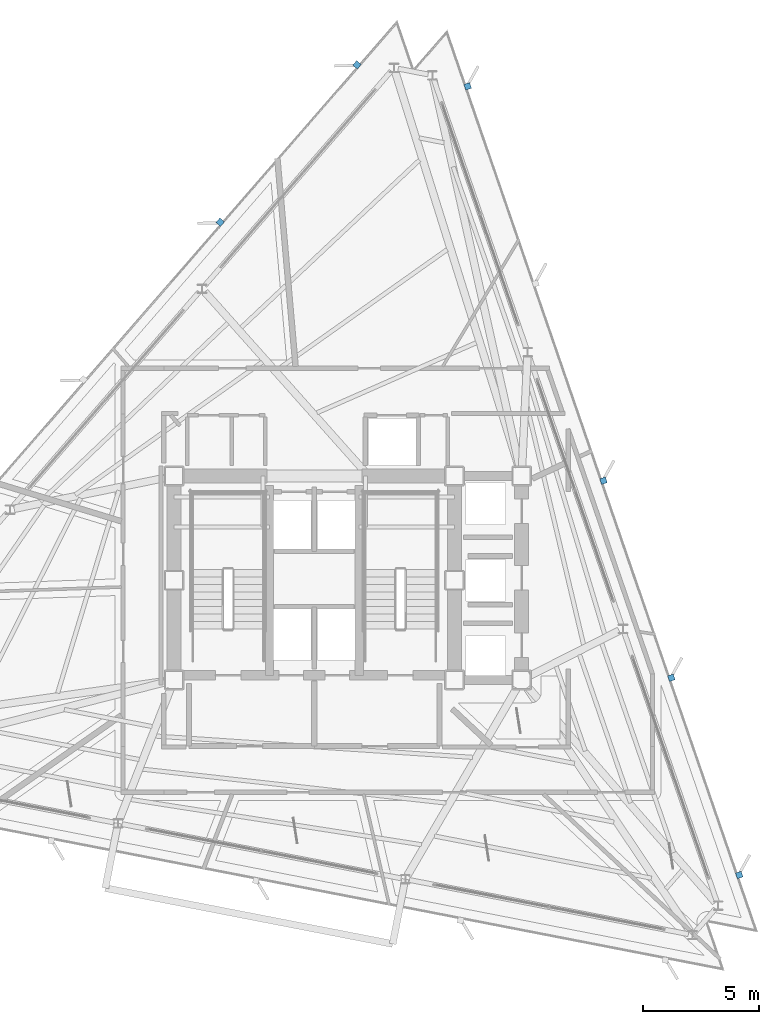
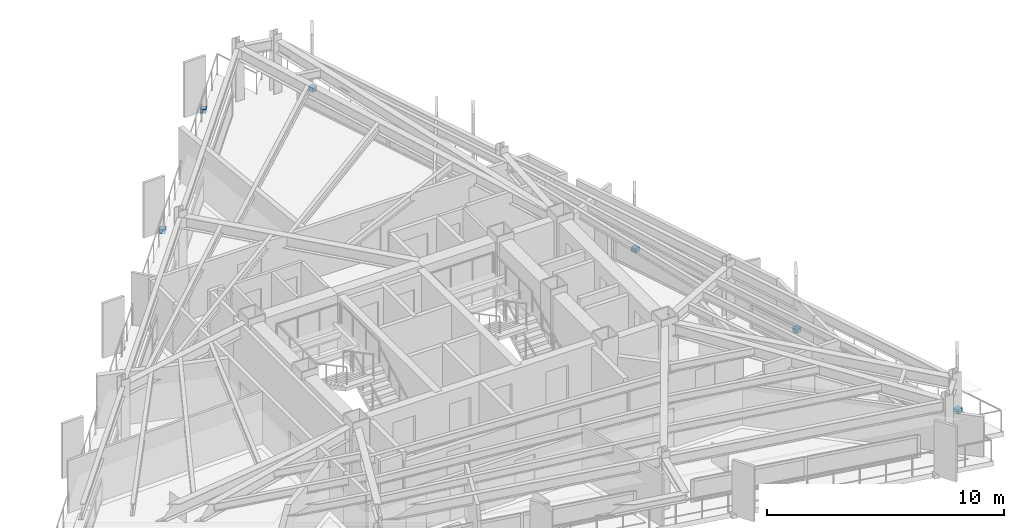
# One storey, part 11 of 14: 6 discrete accessories.
"""IFC4 building model written with IfcOpenShell, lengths in metres."""

from ifc_helpers import new_model, si_unit, direction, frame, origin, origin_2d, place, context, subcontext, project, spatial, rectangle, extrude, material, layer, layer_set, type_object, element, save


model = new_model("IFC4")

# Units and contexts
model_context = context("Model", 3, precision=1e-05, world=origin(), true_north=direction((0.0, 1.0)))
body_context = subcontext(model_context, "Body", "Model", "MODEL_VIEW")
ifc_project = project(units=[si_unit("LENGTHUNIT", "METRE"), si_unit("AREAUNIT", "SQUARE_METRE"), si_unit("VOLUMEUNIT", "CUBIC_METRE"), si_unit("PLANEANGLEUNIT", "RADIAN"), si_unit("MASSUNIT", "GRAM", prefix="KILO")], contexts=[model_context])

# Site, building, storey
site_placement = place(None, origin())
site = spatial("IfcSite", under=ifc_project, at=site_placement, CompositionType="ELEMENT")
building_placement = place(site_placement, origin())
building = spatial("IfcBuilding", under=site, at=building_placement, Name="Rocaltana Carrier Exchange", CompositionType="ELEMENT")
storey_placement = place(building_placement, frame((0.0, 0.0, 168.47998046875)))
storey = spatial("IfcBuildingStorey", under=building, at=storey_placement, Name="L53", CompositionType="ELEMENT", Elevation=168.47998046875)

# Discrete accessories
ifc_material = material(Name="Brushed Architectural Stainless Metal", Category="steel")
ifc_layer = layer(ifc_material, 0.219970703125)
ifc_layer_set = layer_set([ifc_layer], Name="Brushed Architectural Stainless Metal")
discrete_accessory_type = type_object("IfcDiscreteAccessoryType", Name="Stainless Fin Slab-Edge Bracket 260x260x220", PredefinedType="BRACKET", material=ifc_layer_set)
for number, where, z_axis, x_axis, name in (
    (1, (18.344482421875, -12.720703125, -0.2099609375), (0.0, 0.0, 1.0), (-0.325568154457, 0.945518575599, 0.0), "L53 Sandstone Fin Edge Bracket F1-01"),
    (2, (15.414306640625, -4.2109375, -0.2099609375), (0.0, 0.0, 1.0), (-0.325568154457, 0.945518575599, 0.0), "L53 Sandstone Fin Edge Bracket F1-02"),
    (3, (12.484130859375, 4.298583984375, -0.2099609375), (0.0, 0.0, 1.0), (-0.325568154457, 0.945518575599, 0.0), "L53 Sandstone Fin Edge Bracket F1-03"),
    (4, (6.6240234375, 21.318115234375, -0.2099609375), (0.0, 0.0, 1.0), (-0.325568154457, 0.945518575599, 0.0), "L53 Sandstone Fin Edge Bracket F1-05"),
    (5, (1.84423828125, 22.2470703125, -0.2099609375), (0.0, 0.0, 1.0), (-0.656059028991, -0.754709580223, 0.0), "L53 Sandstone Fin Edge Bracket F2-01"),
    (6, (-4.060302734375, 15.45458984375, -0.2099609375), (0.0, 0.0, 1.0), (-0.656059028991, -0.754709580223, 0.0), "L53 Sandstone Fin Edge Bracket F2-02"),
):
    element("IfcDiscreteAccessory", number, at=place(storey_placement, frame(where, z_axis=z_axis, x_axis=x_axis)), inside=storey, type_object=discrete_accessory_type, Name=name, PredefinedType="BRACKET", context=body_context, shape_type="SweptSolid", body=[
        extrude(rectangle(XDim=0.260009765625, YDim=0.260009765625, at=origin_2d()), origin(), (0.0, 0.0, 1.0), 0.219970703125),
    ])

save(model, "model.ifc")
